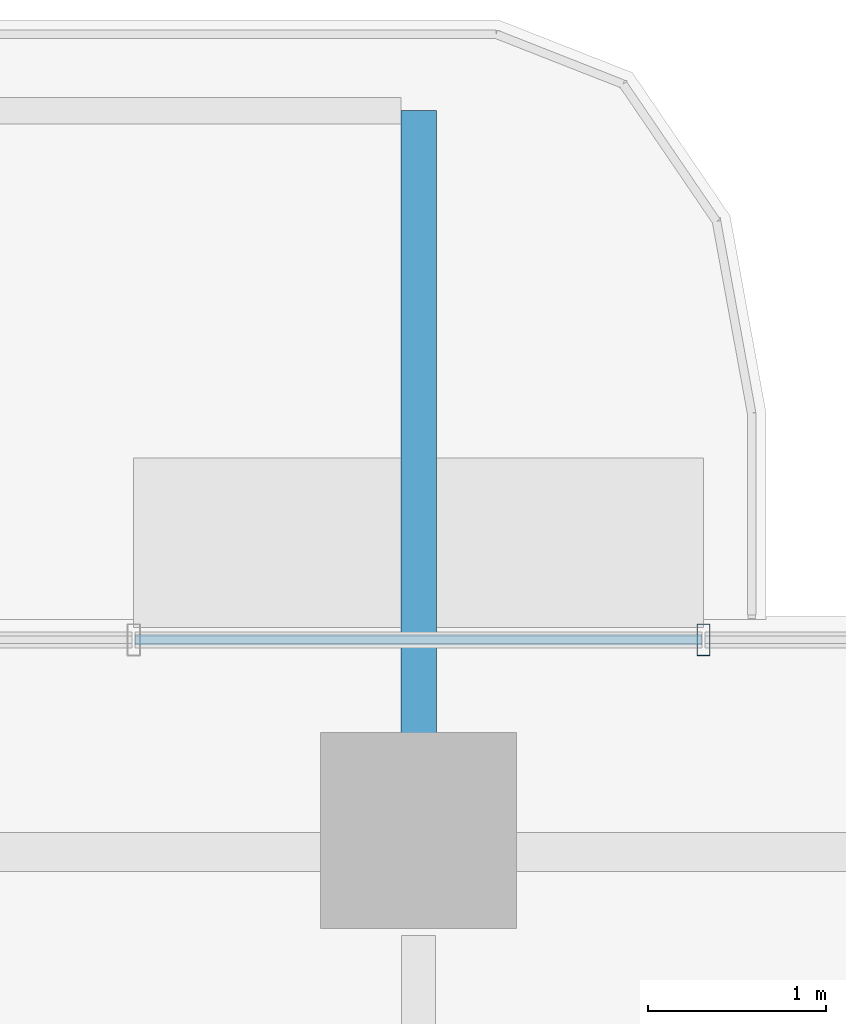
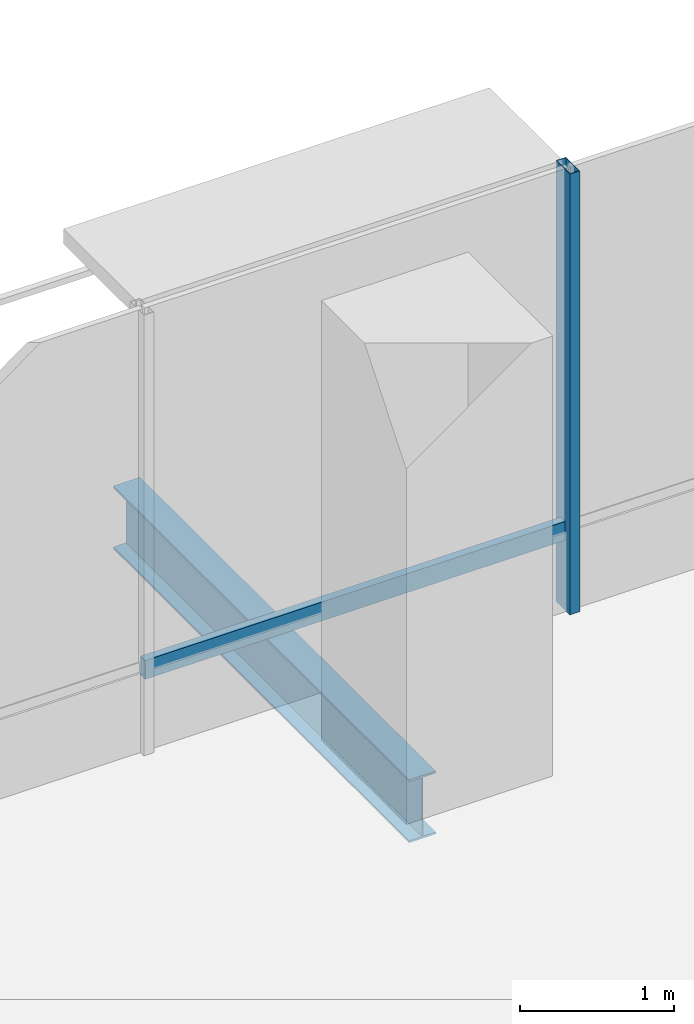
# One storey, part 16 of 29: 2 members, 1 beam, 1 element without a shape of its own.
"""IFC4 building model written with IfcOpenShell, lengths in metres."""

from ifc_helpers import new_model, si_unit, direction, frame, origin, origin_2d, place, context, subcontext, project, spatial, hollow_rectangle, i_section, extrude, material, layer, layer_set, material_profile, profile_set, type_object, element, aggregate, save


model = new_model("IFC4")

# Units and contexts
model_context = context("Model", 3, precision=1e-05, world=origin(), true_north=direction((0.0, 1.0)))
body_context = subcontext(model_context, "Body", "Model", "MODEL_VIEW")
ifc_project = project(units=[si_unit("LENGTHUNIT", "METRE"), si_unit("AREAUNIT", "SQUARE_METRE"), si_unit("VOLUMEUNIT", "CUBIC_METRE"), si_unit("PLANEANGLEUNIT", "RADIAN"), si_unit("MASSUNIT", "GRAM", prefix="KILO")], contexts=[model_context])

# Site, building, storey
site_placement = place(None, origin())
site = spatial("IfcSite", under=ifc_project, at=site_placement, CompositionType="ELEMENT")
building_placement = place(site_placement, origin())
building = spatial("IfcBuilding", under=site, at=building_placement, Name="Belovzor Exchange Tower", CompositionType="ELEMENT")
storey_placement = place(building_placement, frame((0.0, 0.0, 199.949951171875)))
storey = spatial("IfcBuildingStorey", under=building, at=storey_placement, Name="L49", CompositionType="ELEMENT", Elevation=199.949951171875)

# Beam
ifc_material_1 = material(Name="Steel S355", Category="steel")
ifc_material_profile_1 = material_profile(ifc_material_1, i_section(OverallWidth=0.199951171875, OverallDepth=0.5, WebThickness=0.01025390625, FlangeThickness=0.01611328125, at=origin_2d()))
ifc_profile_set_1 = profile_set([ifc_material_profile_1], Name="Steel S355")
beam_type = type_object("IfcBeamType", Name="Planted Balcony Cantilever Beam IPE 500", PredefinedType="BEAM", material=ifc_profile_set_1)
beam_placement = place(storey_placement, frame((28.800048828125, 54.791015625, -0.5), z_axis=(0.0, 1.0, 0.0), x_axis=(-1.0, 0.0, 0.0)))
element("IfcBeam", 1, at=beam_placement, inside=storey, type_object=beam_type, Name="BC-500 Planted Balcony Cantilever Beam IPE 500", PredefinedType="BEAM", context=body_context, shape_type="SweptSolid", body=[
    extrude(i_section(OverallWidth=0.199951171875, OverallDepth=0.5, WebThickness=0.01025390625, FlangeThickness=0.01611328125, at=origin_2d()), origin(), (0.0, 0.0, 1.0), 3.85009765625),
])

# Curtain wall, members
ifc_material_2 = material(Name="Anodised Aluminium Framing", Category="aluminium")
ifc_layer = layer(ifc_material_2, 0.179931640625)
ifc_layer_set = layer_set([ifc_layer], Name="Anodised Aluminium Framing")
curtain_wall_type = type_object("IfcCurtainWallType", Name="Recessed Loggia Low-Iron Triple-Glazed Curtain Wall", PredefinedType="NOTDEFINED", material=ifc_layer_set)
curtain_wall_placement = place(storey_placement, origin())
curtain_wall = element("IfcCurtainWall", 2, at=curtain_wall_placement, inside=storey, type_object=curtain_wall_type, Name="CW3 Recessed Loggia Low-Iron Triple-Glazed Curtain Wall L49", PredefinedType="NOTDEFINED")
ifc_material_3 = material(Name="Steel S355", Category="steel")
ifc_material_profile_2 = material_profile(ifc_material_3, hollow_rectangle(XDim=0.074951171875, YDim=0.179931640625, WallThickness=0.0048828125, at=origin_2d()))
ifc_profile_set_2 = profile_set([ifc_material_profile_2], Name="Steel S355")
member_type_1 = type_object("IfcMemberType", Name="Thermally Broken Curtain Wall Mullion 180x75", PredefinedType="MULLION", material=ifc_profile_set_2)
member_1_placement = place(storey_placement, frame((30.39990234375, 55.669921875, 0.0), z_axis=(0.0, 0.0, 1.0), x_axis=(1.0, 0.0, 0.0)))
member_1 = element("IfcMember", 3, at=member_1_placement, type_object=member_type_1, Name="CW-M180 Curtain Wall Mullion 3", PredefinedType="MULLION", context=body_context, shape_type="SweptSolid", body=[
    extrude(hollow_rectangle(XDim=0.074951171875, YDim=0.179931640625, WallThickness=0.0048828125, at=origin_2d()), origin(), (0.0, 0.0, 1.0), 3.5),
])
ifc_material_4 = material(Name="Steel S355", Category="steel")
ifc_material_profile_3 = material_profile(ifc_material_4, hollow_rectangle(XDim=0.06005859375, YDim=0.14990234375, WallThickness=0.00390625, at=origin_2d()))
ifc_profile_set_3 = profile_set([ifc_material_profile_3], Name="Steel S355")
member_type_2 = type_object("IfcMemberType", Name="Thermally Broken Curtain Wall Transom 150x60", PredefinedType="USERDEFINED", material=ifc_profile_set_3)
member_2_placement = place(storey_placement, frame((27.2080078125, 55.669921875, 0.630126953125), z_axis=(1.0, 0.0, 0.0), x_axis=(0.0, 1.0, 0.0)))
member_2 = element("IfcMember", 4, at=member_2_placement, type_object=member_type_2, Name="CW-T150 Curtain Wall Transom 2", ObjectType="TRANSOM", PredefinedType="USERDEFINED", context=body_context, shape_type="SweptSolid", body=[
    extrude(hollow_rectangle(XDim=0.06005859375, YDim=0.14990234375, WallThickness=0.00390625, at=origin_2d()), origin(), (0.0, 0.0, 1.0), 3.18408203125),
])
aggregate(curtain_wall, [member_1, member_2])

save(model, "model.ifc")
